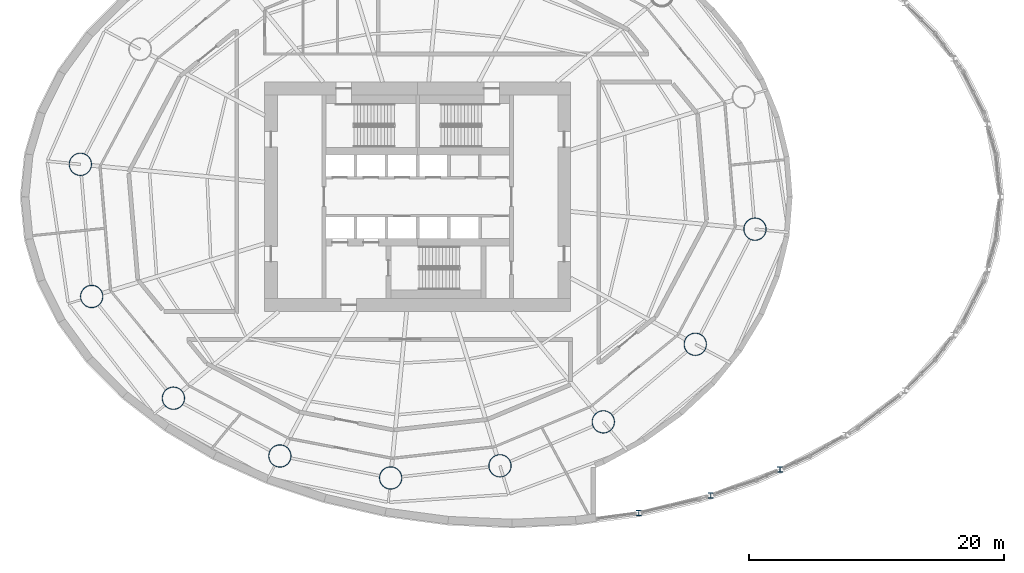
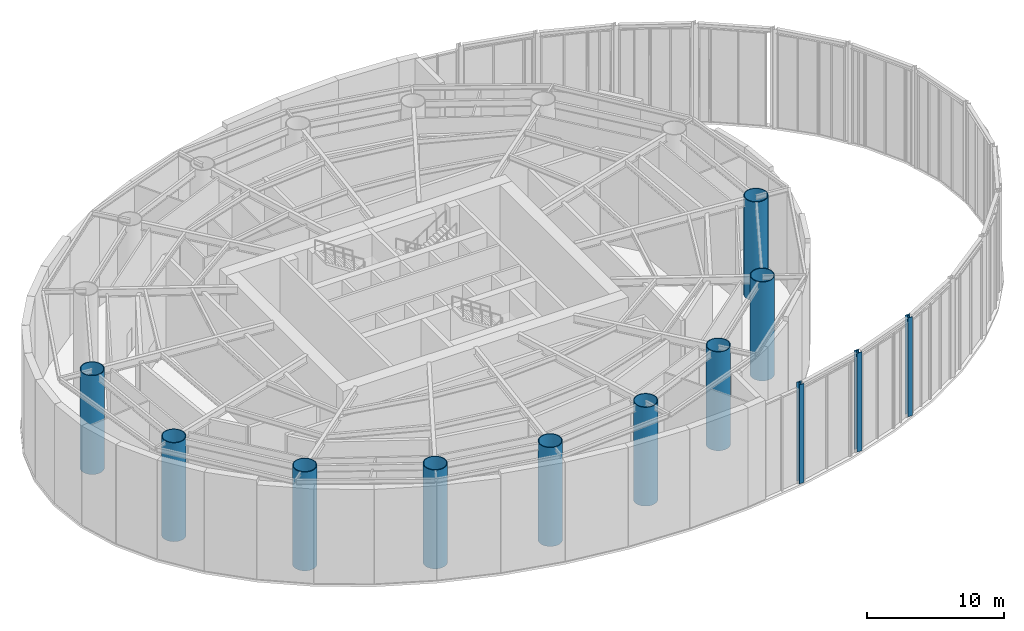
# One storey, part 1 of 19: 12 columns.
"""IFC4 building model written with IfcOpenShell, lengths in metres."""

from ifc_helpers import new_model, si_unit, direction, frame, origin, origin_2d, place, context, subcontext, project, spatial, hollow_circle, i_section, extrude, material, material_profile, profile_set, type_object, element, save


model = new_model("IFC4")

# Units and contexts
model_context = context("Model", 3, precision=1e-05, world=origin(), true_north=direction((0.0, 1.0)))
body_context = subcontext(model_context, "Body", "Model", "MODEL_VIEW")
ifc_project = project(units=[si_unit("LENGTHUNIT", "METRE"), si_unit("AREAUNIT", "SQUARE_METRE"), si_unit("VOLUMEUNIT", "CUBIC_METRE"), si_unit("PLANEANGLEUNIT", "RADIAN"), si_unit("MASSUNIT", "GRAM", prefix="KILO")], contexts=[model_context])

# Site, building, storey
site_placement = place(None, origin())
site = spatial("IfcSite", under=ifc_project, at=site_placement, CompositionType="ELEMENT")
building_placement = place(site_placement, origin())
building = spatial("IfcBuilding", under=site, at=building_placement, Name="Vermilion Reach Broadcast Tower", CompositionType="ELEMENT")
storey_placement = place(building_placement, frame((0.0, 0.0, 17.0)))
storey = spatial("IfcBuildingStorey", under=building, at=storey_placement, Name="L02", CompositionType="ELEMENT", Elevation=17.0)

# Columns
ifc_material_1 = material(Name="Steel S460NL", Category="steel")
ifc_material_profile_1 = material_profile(ifc_material_1, i_section(OverallWidth=0.406982421875, OverallDepth=0.427978515625, WebThickness=0.02001953125, FlangeThickness=0.034912109375, at=origin_2d()), Name="S460NL HW 428x407x20x35")
ifc_profile_set_1 = profile_set([ifc_material_profile_1], Name="Steel S460NL")
column_type_1 = type_object("IfcColumnType", Name="AP HW 428x407x20x35", PredefinedType="COLUMN", material=ifc_profile_set_1)
for number, where, z_axis, x_axis, name in (
    (1, (11.337158203125, -24.81884765625, 0.0), (0.0, 0.0, 1.0), (1.0, 0.0, 0.0), "Atrium post AP01"),
    (2, (16.984619140625, -23.43505859375, 0.0), (0.0, 0.0, 1.0), (1.0, 0.0, 0.0), "Atrium post AP02"),
    (3, (22.43115234375, -21.408935546875, 0.0), (0.0, 0.0, 1.0), (1.0, 0.0, 0.0), "Atrium post AP03"),
):
    element("IfcColumn", number, at=place(storey_placement, frame(where, z_axis=z_axis, x_axis=x_axis)), inside=storey, type_object=column_type_1, Name=name, PredefinedType="COLUMN", context=body_context, shape_type="SweptSolid", body=[
        extrude(i_section(OverallWidth=0.406982421875, OverallDepth=0.427978515625, WebThickness=0.02001953125, FlangeThickness=0.034912109375, at=origin_2d()), origin(), (0.0, 0.0, 1.0), 8.800048828125),
    ])
ifc_material_2 = material(Name="Concrete C80 infill in steel S460NL tube", Category="concrete")
ifc_material_profile_2 = material_profile(ifc_material_2, hollow_circle(Radius=0.89990234375, WallThickness=0.06005859375, at=origin_2d()), Name="Concrete C80 infill in steel S460NL tube CFT 1800x60")
ifc_profile_set_2 = profile_set([ifc_material_profile_2], Name="Concrete C80 infill in steel S460NL tube")
column_type_2 = type_object("IfcColumnType", Name="MC1 CFT 1800x60", PredefinedType="COLUMN", material=ifc_profile_set_2)
for number, where, z_axis, x_axis, name in (
    (4, (-32.464111328125, 2.54345703125, 0.0), (0.0, 0.0, 1.0), (1.0, 0.0, 0.0), "Mega-column MC1-08"),
    (5, (-31.575439453125, -7.823974609375, 0.0), (0.0, 0.0, 1.0), (1.0, 0.0, 0.0), "Mega-column MC1-09"),
    (6, (-25.166259765625, -15.804931640625, 0.0), (0.0, 0.0, 1.0), (1.0, 0.0, 0.0), "Mega-column MC1-10"),
    (7, (-16.809814453125, -20.3388671875, 0.0), (0.0, 0.0, 1.0), (1.0, 0.0, 0.0), "Mega-column MC1-11"),
    (8, (-8.12060546875, -22.06396484375, 0.0), (0.0, 0.0, 1.0), (1.0, 0.0, 0.0), "Mega-column MC1-12"),
    (9, (0.45751953125, -21.108154296875, 0.0), (0.0, 0.0, 1.0), (1.0, 0.0, 0.0), "Mega-column MC1-13"),
    (10, (8.563232421875, -17.660400390625, 0.0), (0.0, 0.0, 1.0), (1.0, 0.0, 0.0), "Mega-column MC1-14"),
    (11, (15.77978515625, -11.57568359375, 0.0), (0.0, 0.0, 1.0), (1.0, 0.0, 0.0), "Mega-column MC1-15"),
    (12, (20.464111328125, -2.54345703125, 0.0), (0.0, 0.0, 1.0), (1.0, 0.0, 0.0), "Mega-column MC1-16"),
):
    element("IfcColumn", number, at=place(storey_placement, frame(where, z_axis=z_axis, x_axis=x_axis)), inside=storey, type_object=column_type_2, Name=name, PredefinedType="COLUMN", context=body_context, shape_type="SweptSolid", body=[
        extrude(hollow_circle(Radius=0.89990234375, WallThickness=0.06005859375, at=origin_2d()), origin(), (0.0, 0.0, 1.0), 8.800048828125),
    ])

save(model, "model.ifc")
